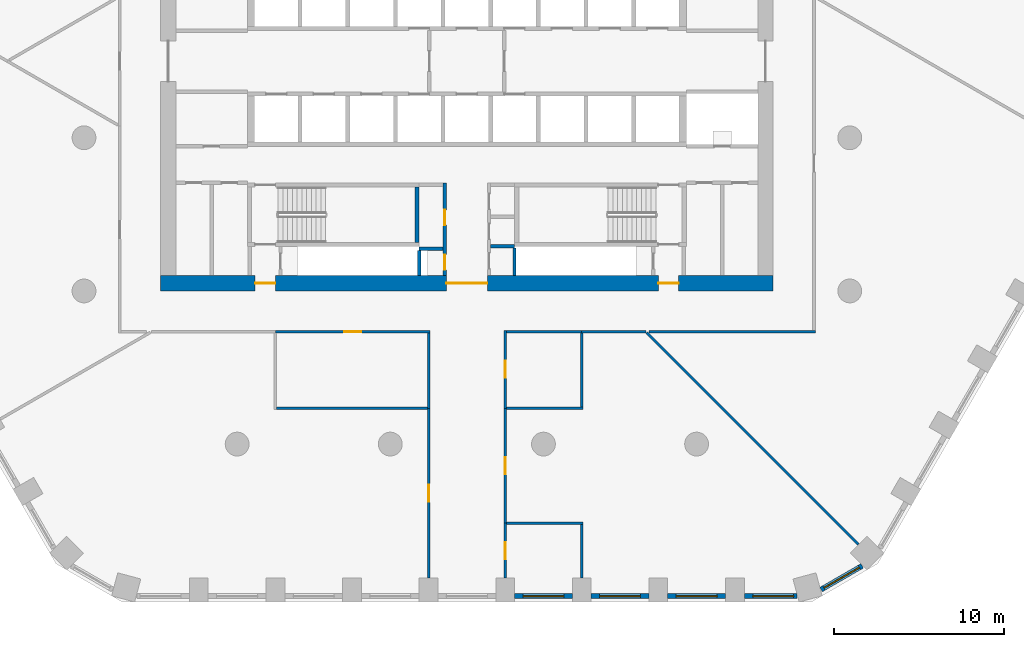
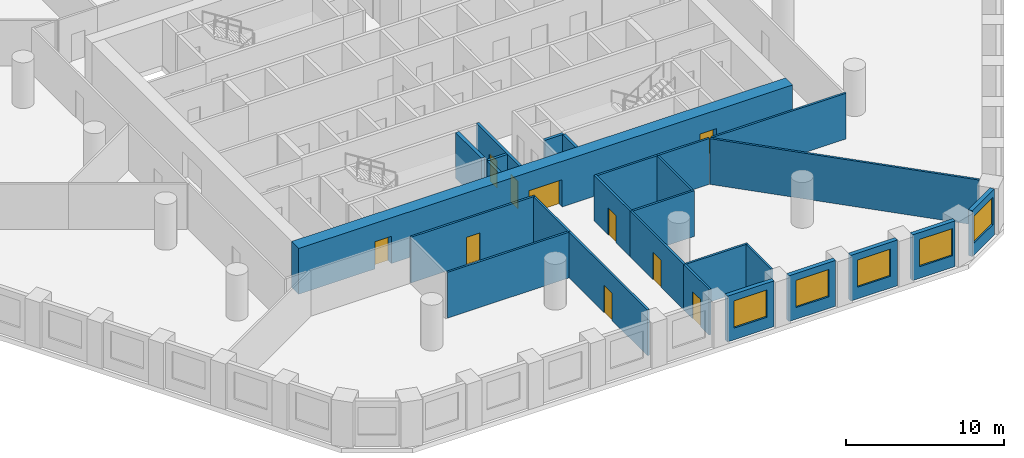
# One storey, part 3 of 10: 27 walls, 10 doors, 5 windows, 15 openings.
"""IFC4 building model written with IfcOpenShell, lengths in metres."""

from ifc_helpers import new_model, si_unit, direction, frame, frame_2d, origin, place, context, subcontext, project, spatial, rectangle, extrude, material, layer, layer_set, type_object, element, fill, save


model = new_model("IFC4")

# Units and contexts
model_context = context("Model", 3, precision=1e-05, world=origin(), true_north=direction((0.0, 1.0)))
body_context = subcontext(model_context, "Body", "Model", "MODEL_VIEW")
ifc_project = project(units=[si_unit("LENGTHUNIT", "METRE"), si_unit("AREAUNIT", "SQUARE_METRE"), si_unit("VOLUMEUNIT", "CUBIC_METRE"), si_unit("PLANEANGLEUNIT", "RADIAN"), si_unit("MASSUNIT", "GRAM", prefix="KILO")], contexts=[model_context])

# Site, building, storey
site_placement = place(None, origin())
site = spatial("IfcSite", under=ifc_project, at=site_placement, CompositionType="ELEMENT")
building_placement = place(site_placement, origin())
building = spatial("IfcBuilding", under=site, at=building_placement, Name="Dhurran Vertical Campus", CompositionType="ELEMENT")
storey_placement = place(building_placement, frame((0.0, 0.0, 49.5)))
storey = spatial("IfcBuildingStorey", under=building, at=storey_placement, Name="L11", CompositionType="ELEMENT", Elevation=49.5)

# Wall, opening, window
ifc_material_1 = material(Name="Precast concrete C50/60", Category="concrete")
ifc_layer_1 = layer(ifc_material_1, 0.300048828125)
ifc_layer_set_1 = layer_set([ifc_layer_1], Name="Precast concrete C50/60")
wall_type_1 = type_object("IfcWallType", Name="Precast spandrel wall 300", PredefinedType="SOLIDWALL", material=ifc_layer_set_1)
wall_1_placement = place(storey_placement, frame((2.800537109375, -31.4296875, 0.0), z_axis=(0.0, 0.0, 1.0), x_axis=(1.0, 0.0, 0.0)))
wall_1 = element("IfcWall", 1, at=wall_1_placement, inside=storey, type_object=wall_type_1, Name="EW1 L11.05", PredefinedType="SOLIDWALL", context=body_context, shape_type="SweptSolid", body=[
    extrude(rectangle(XDim=3.39892578125, YDim=0.300048828125, at=frame_2d((1.699462890625, 0.0))), origin(), (0.0, 0.0, 1.0), 3.52490234375),
])
opening_1_placement = place(wall_1_placement, frame((0.49951171875, 0.0, 0.89990234375)))
opening_1 = element("IfcOpeningElement", 2, at=opening_1_placement, cuts=wall_1, Name="Opening WT1", PredefinedType="OPENING", context=body_context, shape_type="SweptSolid", body=[
    extrude(rectangle(XDim=2.39990234375, YDim=2.10009765625, at=frame_2d((1.199951171875, 1.050048828125))), frame((0.0, 0.159912109375, 0.0), z_axis=(0.0, -1.0, 0.0), x_axis=(1.0, 0.0, 0.0)), (0.0, 0.0, 1.0), 0.320068359375),
])
ifc_material_2 = material(Name="Aluminium frame with solar-control glass", Category="aluminium")
window_type = type_object("IfcWindowType", Name="Punched window 2400 x 2100", PartitioningType="SINGLE_PANEL", PredefinedType="WINDOW", material=ifc_material_2)
window_1_placement = place(opening_1_placement, origin())
window_1 = element("IfcWindow", 3, at=window_1_placement, inside=storey, type_object=window_type, Name="WT1 L11.05", OverallHeight=2.10009765625, OverallWidth=2.39990234375, PartitioningType="SINGLE_PANEL", PredefinedType="WINDOW", context=body_context, shape_type="SweptSolid", body=[
    extrude(rectangle(XDim=2.39990234375, YDim=2.10009765625, at=frame_2d((1.199951171875, 1.050048828125))), frame((0.0, 0.030029296875, 0.0), z_axis=(0.0, -1.0, 0.0), x_axis=(1.0, 0.0, 0.0)), (0.0, 0.0, 1.0), 0.06005859375),
])
fill(opening_1, window_1)

wall_2_placement = place(storey_placement, frame((7.300537109375, -31.4296875, 0.0), z_axis=(0.0, 0.0, 1.0), x_axis=(1.0, 0.0, 0.0)))
wall_2 = element("IfcWall", 4, at=wall_2_placement, inside=storey, type_object=wall_type_1, Name="EW1 L11.06", PredefinedType="SOLIDWALL", context=body_context, shape_type="SweptSolid", body=[
    extrude(rectangle(XDim=3.39892578125, YDim=0.300048828125, at=frame_2d((1.699462890625, 0.0))), origin(), (0.0, 0.0, 1.0), 3.52490234375),
])
opening_2_placement = place(wall_2_placement, frame((0.49951171875, 0.0, 0.89990234375)))
opening_2 = element("IfcOpeningElement", 5, at=opening_2_placement, cuts=wall_2, Name="Opening WT1", PredefinedType="OPENING", context=body_context, shape_type="SweptSolid", body=[
    extrude(rectangle(XDim=2.39990234375, YDim=2.10009765625, at=frame_2d((1.199951171875, 1.050048828125))), frame((0.0, 0.159912109375, 0.0), z_axis=(0.0, -1.0, 0.0), x_axis=(1.0, 0.0, 0.0)), (0.0, 0.0, 1.0), 0.320068359375),
])
window_2_placement = place(opening_2_placement, origin())
window_2 = element("IfcWindow", 6, at=window_2_placement, inside=storey, type_object=window_type, Name="WT1 L11.06", OverallHeight=2.10009765625, OverallWidth=2.39990234375, PartitioningType="SINGLE_PANEL", PredefinedType="WINDOW", context=body_context, shape_type="SweptSolid", body=[
    extrude(rectangle(XDim=2.39990234375, YDim=2.10009765625, at=frame_2d((1.199951171875, 1.050048828125))), frame((0.0, 0.030029296875, 0.0), z_axis=(0.0, -1.0, 0.0), x_axis=(1.0, 0.0, 0.0)), (0.0, 0.0, 1.0), 0.06005859375),
])
fill(opening_2, window_2)

wall_3_placement = place(storey_placement, frame((11.800537109375, -31.4296875, 0.0), z_axis=(0.0, 0.0, 1.0), x_axis=(1.0, 0.0, 0.0)))
wall_3 = element("IfcWall", 7, at=wall_3_placement, inside=storey, type_object=wall_type_1, Name="EW1 L11.07", PredefinedType="SOLIDWALL", context=body_context, shape_type="SweptSolid", body=[
    extrude(rectangle(XDim=3.39892578125, YDim=0.300048828125, at=frame_2d((1.699462890625, 0.0))), origin(), (0.0, 0.0, 1.0), 3.52490234375),
])
opening_3_placement = place(wall_3_placement, frame((0.49951171875, 0.0, 0.89990234375)))
opening_3 = element("IfcOpeningElement", 8, at=opening_3_placement, cuts=wall_3, Name="Opening WT1", PredefinedType="OPENING", context=body_context, shape_type="SweptSolid", body=[
    extrude(rectangle(XDim=2.39990234375, YDim=2.10009765625, at=frame_2d((1.199951171875, 1.050048828125))), frame((0.0, 0.159912109375, 0.0), z_axis=(0.0, -1.0, 0.0), x_axis=(1.0, 0.0, 0.0)), (0.0, 0.0, 1.0), 0.320068359375),
])
window_3_placement = place(opening_3_placement, origin())
window_3 = element("IfcWindow", 9, at=window_3_placement, inside=storey, type_object=window_type, Name="WT1 L11.07", OverallHeight=2.10009765625, OverallWidth=2.39990234375, PartitioningType="SINGLE_PANEL", PredefinedType="WINDOW", context=body_context, shape_type="SweptSolid", body=[
    extrude(rectangle(XDim=2.39990234375, YDim=2.10009765625, at=frame_2d((1.199951171875, 1.050048828125))), frame((0.0, 0.030029296875, 0.0), z_axis=(0.0, -1.0, 0.0), x_axis=(1.0, 0.0, 0.0)), (0.0, 0.0, 1.0), 0.06005859375),
])
fill(opening_3, window_3)

wall_4_placement = place(storey_placement, frame((16.300537109375, -31.4296875, 0.0), z_axis=(0.0, 0.0, 1.0), x_axis=(1.0, 0.0, 0.0)))
wall_4 = element("IfcWall", 10, at=wall_4_placement, inside=storey, type_object=wall_type_1, Name="EW1 L11.08", PredefinedType="SOLIDWALL", context=body_context, shape_type="SweptSolid", body=[
    extrude(rectangle(XDim=3.090576171875, YDim=0.300048828125, at=frame_2d((1.54541015625, 0.0))), origin(), (0.0, 0.0, 1.0), 3.52490234375),
])
opening_4_placement = place(wall_4_placement, frame((0.49951171875, 0.0, 0.89990234375)))
opening_4 = element("IfcOpeningElement", 11, at=opening_4_placement, cuts=wall_4, Name="Opening WT1", PredefinedType="OPENING", context=body_context, shape_type="SweptSolid", body=[
    extrude(rectangle(XDim=2.39990234375, YDim=2.10009765625, at=frame_2d((1.199951171875, 1.050048828125))), frame((0.0, 0.159912109375, 0.0), z_axis=(0.0, -1.0, 0.0), x_axis=(1.0, 0.0, 0.0)), (0.0, 0.0, 1.0), 0.320068359375),
])
window_4_placement = place(opening_4_placement, origin())
window_4 = element("IfcWindow", 12, at=window_4_placement, inside=storey, type_object=window_type, Name="WT1 L11.08", OverallHeight=2.10009765625, OverallWidth=2.39990234375, PartitioningType="SINGLE_PANEL", PredefinedType="WINDOW", context=body_context, shape_type="SweptSolid", body=[
    extrude(rectangle(XDim=2.39990234375, YDim=2.10009765625, at=frame_2d((1.199951171875, 1.050048828125))), frame((0.0, 0.030029296875, 0.0), z_axis=(0.0, -1.0, 0.0), x_axis=(1.0, 0.0, 0.0)), (0.0, 0.0, 1.0), 0.06005859375),
])
fill(opening_4, window_4)

wall_5_placement = place(storey_placement, frame((20.81884765625, -31.047119140625, 0.0), z_axis=(0.0, 0.0, 1.0), x_axis=(0.866020456713, 0.500008568482, 0.0)))
wall_5 = element("IfcWall", 13, at=wall_5_placement, inside=storey, type_object=wall_type_1, Name="EW1 L11.09", PredefinedType="SOLIDWALL", context=body_context, shape_type="SweptSolid", body=[
    extrude(rectangle(XDim=2.7822265625, YDim=0.300048828125, at=frame_2d((1.39111328125, 0.0))), origin(), (0.0, 0.0, 1.0), 3.52490234375),
])
opening_5_placement = place(wall_5_placement, frame((0.191162109375, 0.0, 0.89990234375)))
opening_5 = element("IfcOpeningElement", 14, at=opening_5_placement, cuts=wall_5, Name="Opening WT1", PredefinedType="OPENING", context=body_context, shape_type="SweptSolid", body=[
    extrude(rectangle(XDim=2.39990234375, YDim=2.10009765625, at=frame_2d((1.199951171875, 1.050048828125))), frame((0.0, 0.159912109375, 0.0), z_axis=(0.0, -1.0, 0.0), x_axis=(1.0, 0.0, 0.0)), (0.0, 0.0, 1.0), 0.320068359375),
])
window_5_placement = place(opening_5_placement, origin())
window_5 = element("IfcWindow", 15, at=window_5_placement, inside=storey, type_object=window_type, Name="WT1 L11.09", OverallHeight=2.10009765625, OverallWidth=2.39990234375, PartitioningType="SINGLE_PANEL", PredefinedType="WINDOW", context=body_context, shape_type="SweptSolid", body=[
    extrude(rectangle(XDim=2.39990234375, YDim=2.10009765625, at=frame_2d((1.199951171875, 1.050048828125))), frame((0.0, 0.030029296875, 0.0), z_axis=(0.0, -1.0, 0.0), x_axis=(1.0, 0.0, 0.0)), (0.0, 0.0, 1.0), 0.06005859375),
])
fill(opening_5, window_5)

# Wall, openings, doors
ifc_material_3 = material(Name="Concrete C60/75", Category="concrete")
ifc_layer_2 = layer(ifc_material_3, 0.89990234375)
ifc_layer_set_2 = layer_set([ifc_layer_2], Name="Concrete C60/75")
wall_type_2 = type_object("IfcWallType", Name="co-CORE-WALL-C0-900", PredefinedType="SHEAR", material=ifc_layer_set_2)
wall_6_placement = place(storey_placement, frame((-18.0, -13.050048828125, 0.0), z_axis=(0.0, 0.0, 1.0), x_axis=(1.0, 0.0, 0.0)))
wall_6 = element("IfcWall", 16, at=wall_6_placement, inside=storey, type_object=wall_type_2, Name="Core wall S L11", PredefinedType="SHEAR", context=body_context, shape_type="SweptSolid", body=[
    extrude(rectangle(XDim=36.0, YDim=0.89990234375, at=frame_2d((18.0, 0.0))), origin(), (0.0, 0.0, 1.0), 3.52490234375),
])
opening_6_placement = place(wall_6_placement, frame((16.800048828125, 0.0, 0.0)))
opening_6 = element("IfcOpeningElement", 17, at=opening_6_placement, cuts=wall_6, Name="Opening CV2", PredefinedType="OPENING", context=body_context, shape_type="SweptSolid", body=[
    extrude(rectangle(XDim=2.39990234375, YDim=2.10009765625, at=frame_2d((1.199951171875, 1.050048828125))), frame((0.0, 0.4599609375, 0.0), z_axis=(0.0, -1.0, 0.0), x_axis=(1.0, 0.0, 0.0)), (0.0, 0.0, 1.0), 0.919921875),
])
opening_7_placement = place(wall_6_placement, frame((5.550048828125, 0.0, 0.0)))
opening_7 = element("IfcOpeningElement", 18, at=opening_7_placement, cuts=wall_6, Name="Opening XD3", PredefinedType="OPENING", context=body_context, shape_type="SweptSolid", body=[
    extrude(rectangle(XDim=1.199951171875, YDim=2.10009765625, at=frame_2d((0.60009765625, 1.050048828125))), frame((0.0, 0.4599609375, 0.0), z_axis=(0.0, -1.0, 0.0), x_axis=(1.0, 0.0, 0.0)), (0.0, 0.0, 1.0), 0.919921875),
])
opening_8_placement = place(wall_6_placement, frame((29.25, 0.0, 0.0)))
opening_8 = element("IfcOpeningElement", 19, at=opening_8_placement, cuts=wall_6, Name="Opening XD4", PredefinedType="OPENING", context=body_context, shape_type="SweptSolid", body=[
    extrude(rectangle(XDim=1.199951171875, YDim=2.10009765625, at=frame_2d((0.60009765625, 1.050048828125))), frame((0.0, 0.4599609375, 0.0), z_axis=(0.0, -1.0, 0.0), x_axis=(1.0, 0.0, 0.0)), (0.0, 0.0, 1.0), 0.919921875),
])
ifc_material_4 = material(Name="Fire-rated glazed door set")
door_type_1 = type_object("IfcDoorType", Name="co-D-LOBBY 2400x2100", OperationType="DOUBLE_DOOR_DOUBLE_SWING", PredefinedType="DOOR", material=ifc_material_4)
door_1_placement = place(opening_6_placement, origin())
door_1 = element("IfcDoor", 20, at=door_1_placement, inside=storey, type_object=door_type_1, Name="Core vestibule door S L11", OperationType="DOUBLE_DOOR_DOUBLE_SWING", OverallHeight=2.10009765625, OverallWidth=2.39990234375, PredefinedType="DOOR", context=body_context, shape_type="SweptSolid", body=[
    extrude(rectangle(XDim=2.39990234375, YDim=2.10009765625, at=frame_2d((1.199951171875, 1.050048828125))), frame((0.0, 0.02490234375, 0.0), z_axis=(0.0, -1.0, 0.0), x_axis=(1.0, 0.0, 0.0)), (0.0, 0.0, 1.0), 0.050048828125),
])
fill(opening_6, door_1)
ifc_material_5 = material(Name="Fire-rated steel door set", Category="steel")
door_type_2 = type_object("IfcDoorType", Name="co-D-STAIR-EXIT 1200x2100", OperationType="SINGLE_SWING_RIGHT", PredefinedType="DOOR", material=ifc_material_5)
door_2_placement = place(opening_7_placement, origin())
door_2 = element("IfcDoor", 21, at=door_2_placement, inside=storey, type_object=door_type_2, Name="Stair ST3 exit door L11", OperationType="SINGLE_SWING_RIGHT", OverallHeight=2.10009765625, OverallWidth=1.199951171875, PredefinedType="DOOR", context=body_context, shape_type="SweptSolid", body=[
    extrude(rectangle(XDim=1.199951171875, YDim=2.10009765625, at=frame_2d((0.60009765625, 1.050048828125))), frame((0.0, 0.02490234375, 0.0), z_axis=(0.0, -1.0, 0.0), x_axis=(1.0, 0.0, 0.0)), (0.0, 0.0, 1.0), 0.050048828125),
])
fill(opening_7, door_2)
door_3_placement = place(opening_8_placement, origin())
door_3 = element("IfcDoor", 22, at=door_3_placement, inside=storey, type_object=door_type_2, Name="Stair ST4 exit door L11", OperationType="SINGLE_SWING_RIGHT", OverallHeight=2.10009765625, OverallWidth=1.199951171875, PredefinedType="DOOR", context=body_context, shape_type="SweptSolid", body=[
    extrude(rectangle(XDim=1.199951171875, YDim=2.10009765625, at=frame_2d((0.60009765625, 1.050048828125))), frame((0.0, 0.02490234375, 0.0), z_axis=(0.0, -1.0, 0.0), x_axis=(1.0, 0.0, 0.0)), (0.0, 0.0, 1.0), 0.050048828125),
])
fill(opening_8, door_3)

# Walls
ifc_material_6 = material(Name="Fire-rated masonry blockwork", Category="masonry")
ifc_layer_3 = layer(ifc_material_6, 0.199951171875)
ifc_layer_set_3 = layer_set([ifc_layer_3], Name="Fire-rated masonry blockwork")
wall_type_3 = type_object("IfcWallType", Name="co-FIRE-PARTITION-200", PredefinedType="PARTITIONING", material=ifc_layer_set_3)
for number, where, z_axis, x_axis, name in (
    (23, (-2.800048828125, -11.02490234375, 0.0), (0.0, 0.0, 1.0), (1.0, 0.0, 0.0), "Core partition sl-SW-cut0 L11"),
    (24, (1.39990234375, -10.867431640625, 0.0), (0.0, 0.0, 1.0), (1.0, 0.0, 0.0), "Core partition sl-SE-cut1 L11"),
):
    element("IfcWall", number, at=place(storey_placement, frame(where, z_axis=z_axis, x_axis=x_axis)), inside=storey, type_object=wall_type_3, Name=name, PredefinedType="PARTITIONING", context=body_context, shape_type="SweptSolid", body=[
        extrude(rectangle(XDim=1.400146484375, YDim=0.199951171875, at=frame_2d((0.7001953125, 0.0))), origin(), (0.0, 0.0, 1.0), 3.52490234375),
    ])

# Wall, openings, doors
wall_7_placement = place(storey_placement, frame((-1.300048828125, -12.60009765625, 0.0), z_axis=(0.0, 0.0, 1.0), x_axis=(0.0, 1.0, 0.0)))
wall_7 = element("IfcWall", 25, at=wall_7_placement, inside=storey, type_object=wall_type_3, Name="Core partition vest-SW L11", PredefinedType="PARTITIONING", context=body_context, shape_type="SweptSolid", body=[
    extrude(rectangle(XDim=5.4501953125, YDim=0.199951171875, at=frame_2d((2.72509765625, 0.0))), origin(), (0.0, 0.0, 1.0), 3.52490234375),
])
opening_9_placement = place(wall_7_placement, frame((0.33740234375, 0.0, 0.0)))
opening_9 = element("IfcOpeningElement", 26, at=opening_9_placement, cuts=wall_7, Name="Opening T02-C1", PredefinedType="OPENING", context=body_context, shape_type="SweptSolid", body=[
    extrude(rectangle(XDim=0.89990234375, YDim=2.10009765625, at=frame_2d((0.449951171875, 1.050048828125))), frame((0.0, 0.10986328125, 0.0), z_axis=(0.0, -1.0, 0.0), x_axis=(1.0, 0.0, 0.0)), (0.0, 0.0, 1.0), 0.219970703125),
])
opening_10_placement = place(wall_7_placement, frame((2.96240234375, 0.0, 0.0)))
opening_10 = element("IfcOpeningElement", 27, at=opening_10_placement, cuts=wall_7, Name="Opening T02-C2", PredefinedType="OPENING", context=body_context, shape_type="SweptSolid", body=[
    extrude(rectangle(XDim=0.89990234375, YDim=2.10009765625, at=frame_2d((0.449951171875, 1.050048828125))), frame((0.0, 0.10986328125, 0.0), z_axis=(0.0, -1.0, 0.0), x_axis=(1.0, 0.0, 0.0)), (0.0, 0.0, 1.0), 0.219970703125),
])
ifc_material_7 = material(Name="Fire-rated timber door set", Category="wood")
door_type_3 = type_object("IfcDoorType", Name="co-D-ROOM 900x2100", OperationType="SINGLE_SWING_LEFT", PredefinedType="DOOR", material=ifc_material_7)
door_4_placement = place(opening_9_placement, origin())
door_4 = element("IfcDoor", 28, at=door_4_placement, inside=storey, type_object=door_type_3, Name="Electrical riser door L11", OperationType="SINGLE_SWING_LEFT", OverallHeight=2.10009765625, OverallWidth=0.89990234375, PredefinedType="DOOR", context=body_context, shape_type="SweptSolid", body=[
    extrude(rectangle(XDim=0.89990234375, YDim=2.10009765625, at=frame_2d((0.449951171875, 1.050048828125))), frame((0.0, 0.02490234375, 0.0), z_axis=(0.0, -1.0, 0.0), x_axis=(1.0, 0.0, 0.0)), (0.0, 0.0, 1.0), 0.050048828125),
])
fill(opening_9, door_4)
door_5_placement = place(opening_10_placement, origin())
door_5 = element("IfcDoor", 29, at=door_5_placement, inside=storey, type_object=door_type_3, Name="Plant room door L11", OperationType="SINGLE_SWING_LEFT", OverallHeight=2.10009765625, OverallWidth=0.89990234375, PredefinedType="DOOR", context=body_context, shape_type="SweptSolid", body=[
    extrude(rectangle(XDim=0.89990234375, YDim=2.10009765625, at=frame_2d((0.449951171875, 1.050048828125))), frame((0.0, 0.02490234375, 0.0), z_axis=(0.0, -1.0, 0.0), x_axis=(1.0, 0.0, 0.0)), (0.0, 0.0, 1.0), 0.050048828125),
])
fill(opening_10, door_5)

# Walls
wall_8_placement = place(storey_placement, frame((-2.800048828125, -12.59912109375, 0.0), z_axis=(0.0, 0.0, 1.0), x_axis=(0.0, 1.0, 0.0)))
element("IfcWall", 30, at=wall_8_placement, inside=storey, type_object=wall_type_3, Name="Riser enclosure wall L11", PredefinedType="PARTITIONING", context=body_context, shape_type="SweptSolid", body=[
    extrude(rectangle(XDim=1.47314453125, YDim=0.199951171875, at=frame_2d((0.736572265625, 0.0))), origin(), (0.0, 0.0, 1.0), 3.52490234375),
])
wall_9_placement = place(storey_placement, frame((2.800048828125, -10.968505859375, 0.0), z_axis=(0.0, 0.0, 1.0), x_axis=(0.0, -1.0, 0.0)))
element("IfcWall", 31, at=wall_9_placement, inside=storey, type_object=wall_type_3, Name="Riser enclosure wall L11", PredefinedType="PARTITIONING", context=body_context, shape_type="SweptSolid", body=[
    extrude(rectangle(XDim=1.630615234375, YDim=0.199951171875, at=frame_2d((0.8154296875, 0.0))), origin(), (0.0, 0.0, 1.0), 3.52490234375),
])
ifc_material_8 = material(Name="Concrete C40/50", Category="concrete")
ifc_layer_4 = layer(ifc_material_8, 0.25)
ifc_layer_set_4 = layer_set([ifc_layer_4], Name="Concrete C40/50")
wall_type_4 = type_object("IfcWallType", Name="co-STAIR-WALL-250", PredefinedType="SHEAR", material=ifc_layer_set_4)
wall_10_placement = place(storey_placement, frame((-2.925048828125, -10.64990234375, 0.0), z_axis=(0.0, 0.0, 1.0), x_axis=(0.0, 1.0, 0.0)))
element("IfcWall", 32, at=wall_10_placement, inside=storey, type_object=wall_type_4, Name="Stair ST3 enclosure wall L11", PredefinedType="SHEAR", context=body_context, shape_type="SweptSolid", body=[
    extrude(rectangle(XDim=3.25, YDim=0.25, at=frame_2d((1.625, 0.0))), origin(), (0.0, 0.0, 1.0), 3.52490234375),
])

# Wall, opening, door
ifc_material_9 = material(Name="Gypsum board corridor wall on steel studs", Category="steel")
ifc_layer_5 = layer(ifc_material_9, 0.14990234375)
ifc_layer_set_5 = layer_set([ifc_layer_5], Name="Gypsum board corridor wall on steel studs")
wall_type_5 = type_object("IfcWallType", Name="fl-CW-150 corridor wall", PredefinedType="PARTITIONING", material=ifc_layer_set_5)
wall_11_placement = place(storey_placement, frame((-11.25, -15.89990234375, 0.0), z_axis=(0.0, 0.0, 1.0), x_axis=(1.0, 0.0, 0.0)))
wall_11 = element("IfcWall", 33, at=wall_11_placement, inside=storey, type_object=wall_type_5, Name="Partition 11-17", PredefinedType="PARTITIONING", context=body_context, shape_type="SweptSolid", body=[
    extrude(rectangle(XDim=9.074951171875, YDim=0.14990234375, at=frame_2d((4.53759765625, 0.0))), origin(), (0.0, 0.0, 1.0), 3.52490234375),
])
opening_11_placement = place(wall_11_placement, frame((4.03759765625, 0.0, 0.0)))
opening_11 = element("IfcOpeningElement", 34, at=opening_11_placement, cuts=wall_11, Name="Opening T02.07", PredefinedType="OPENING", context=body_context, shape_type="SweptSolid", body=[
    extrude(rectangle(XDim=1.0, YDim=2.10009765625, at=frame_2d((0.5, 1.050048828125))), frame((0.0, 0.0849609375, 0.0), z_axis=(0.0, -1.0, 0.0), x_axis=(1.0, 0.0, 0.0)), (0.0, 0.0, 1.0), 0.169921875),
])
ifc_material_10 = material(Name="Solid-core timber door set, fire-rated", Category="wood")
door_type_4 = type_object("IfcDoorType", Name="fl-D-1000x2100", OperationType="SINGLE_SWING_LEFT", PredefinedType="DOOR", material=ifc_material_10)
door_6_placement = place(opening_11_placement, origin())
door_6 = element("IfcDoor", 35, at=door_6_placement, inside=storey, type_object=door_type_4, Name="Door 11.07", OperationType="SINGLE_SWING_LEFT", OverallHeight=2.10009765625, OverallWidth=1.0, PredefinedType="DOOR", context=body_context, shape_type="SweptSolid", body=[
    extrude(rectangle(XDim=1.0, YDim=2.10009765625, at=frame_2d((0.5, 1.050048828125))), frame((0.0, 0.02490234375, 0.0), z_axis=(0.0, -1.0, 0.0), x_axis=(1.0, 0.0, 0.0)), (0.0, 0.0, 1.0), 0.050048828125),
])
fill(opening_11, door_6)

wall_12_placement = place(storey_placement, frame((-2.25, -30.35986328125, 0.0), z_axis=(0.0, 0.0, 1.0), x_axis=(0.0, 1.0, 0.0)))
wall_12 = element("IfcWall", 36, at=wall_12_placement, inside=storey, type_object=wall_type_5, Name="Partition 11-18", PredefinedType="PARTITIONING", context=body_context, shape_type="SweptSolid", body=[
    extrude(rectangle(XDim=9.9599609375, YDim=0.14990234375, at=frame_2d((4.97998046875, 0.0))), origin(), (0.0, 0.0, 1.0), 3.52490234375),
])
opening_12_placement = place(wall_12_placement, frame((4.47998046875, 0.0, 0.0)))
opening_12 = element("IfcOpeningElement", 37, at=opening_12_placement, cuts=wall_12, Name="Opening T02.05", PredefinedType="OPENING", context=body_context, shape_type="SweptSolid", body=[
    extrude(rectangle(XDim=1.0, YDim=2.10009765625, at=frame_2d((0.5, 1.050048828125))), frame((0.0, 0.0849609375, 0.0), z_axis=(0.0, -1.0, 0.0), x_axis=(1.0, 0.0, 0.0)), (0.0, 0.0, 1.0), 0.169921875),
])
door_7_placement = place(opening_12_placement, origin())
door_7 = element("IfcDoor", 38, at=door_7_placement, inside=storey, type_object=door_type_4, Name="Door 11.05", OperationType="SINGLE_SWING_RIGHT", OverallHeight=2.10009765625, OverallWidth=1.0, PredefinedType="DOOR", context=body_context, shape_type="SweptSolid", body=[
    extrude(rectangle(XDim=1.0, YDim=2.10009765625, at=frame_2d((0.5, 1.050048828125))), frame((0.0, 0.02490234375, 0.0), z_axis=(0.0, -1.0, 0.0), x_axis=(1.0, 0.0, 0.0)), (0.0, 0.0, 1.0), 0.050048828125),
])
fill(opening_12, door_7)

# Wall
wall_13_placement = place(storey_placement, frame((-2.25, -20.39990234375, 0.0), z_axis=(0.0, 0.0, 1.0), x_axis=(0.0, 1.0, 0.0)))
element("IfcWall", 39, at=wall_13_placement, inside=storey, type_object=wall_type_5, Name="Partition 11-19", PredefinedType="PARTITIONING", context=body_context, shape_type="SweptSolid", body=[
    extrude(rectangle(XDim=4.4248046875, YDim=0.14990234375, at=frame_2d((2.21240234375, 0.0))), origin(), (0.0, 0.0, 1.0), 3.52490234375),
])

# Wall, opening, door
wall_14_placement = place(storey_placement, frame((2.25, -27.14990234375, 0.0), z_axis=(0.0, 0.0, 1.0), x_axis=(0.0, -1.0, 0.0)))
wall_14 = element("IfcWall", 40, at=wall_14_placement, inside=storey, type_object=wall_type_5, Name="Partition 11-21", PredefinedType="PARTITIONING", context=body_context, shape_type="SweptSolid", body=[
    extrude(rectangle(XDim=3.2099609375, YDim=0.14990234375, at=frame_2d((1.60498046875, 0.0))), origin(), (0.0, 0.0, 1.0), 3.52490234375),
])
opening_13_placement = place(wall_14_placement, frame((1.10498046875, 0.0, 0.0)))
opening_13 = element("IfcOpeningElement", 41, at=opening_13_placement, cuts=wall_14, Name="Opening T02.08", PredefinedType="OPENING", context=body_context, shape_type="SweptSolid", body=[
    extrude(rectangle(XDim=1.0, YDim=2.10009765625, at=frame_2d((0.5, 1.050048828125))), frame((0.0, 0.0849609375, 0.0), z_axis=(0.0, -1.0, 0.0), x_axis=(1.0, 0.0, 0.0)), (0.0, 0.0, 1.0), 0.169921875),
])
door_8_placement = place(opening_13_placement, origin())
door_8 = element("IfcDoor", 42, at=door_8_placement, inside=storey, type_object=door_type_4, Name="Door 11.08", OperationType="SINGLE_SWING_RIGHT", OverallHeight=2.10009765625, OverallWidth=1.0, PredefinedType="DOOR", context=body_context, shape_type="SweptSolid", body=[
    extrude(rectangle(XDim=1.0, YDim=2.10009765625, at=frame_2d((0.5, 1.050048828125))), frame((0.0, 0.02490234375, 0.0), z_axis=(0.0, -1.0, 0.0), x_axis=(1.0, 0.0, 0.0)), (0.0, 0.0, 1.0), 0.050048828125),
])
fill(opening_13, door_8)

wall_15_placement = place(storey_placement, frame((2.25, -20.39990234375, 0.0), z_axis=(0.0, 0.0, 1.0), x_axis=(0.0, -1.0, 0.0)))
wall_15 = element("IfcWall", 43, at=wall_15_placement, inside=storey, type_object=wall_type_5, Name="Partition 11-22", PredefinedType="PARTITIONING", context=body_context, shape_type="SweptSolid", body=[
    extrude(rectangle(XDim=6.75, YDim=0.14990234375, at=frame_2d((3.375, 0.0))), origin(), (0.0, 0.0, 1.0), 3.52490234375),
])
opening_14_placement = place(wall_15_placement, frame((2.875, 0.0, 0.0)))
opening_14 = element("IfcOpeningElement", 44, at=opening_14_placement, cuts=wall_15, Name="Opening T02.12", PredefinedType="OPENING", context=body_context, shape_type="SweptSolid", body=[
    extrude(rectangle(XDim=1.0, YDim=2.10009765625, at=frame_2d((0.5, 1.050048828125))), frame((0.0, 0.0849609375, 0.0), z_axis=(0.0, -1.0, 0.0), x_axis=(1.0, 0.0, 0.0)), (0.0, 0.0, 1.0), 0.169921875),
])
door_9_placement = place(opening_14_placement, origin())
door_9 = element("IfcDoor", 45, at=door_9_placement, inside=storey, type_object=door_type_4, Name="Door 11.12", OperationType="SINGLE_SWING_LEFT", OverallHeight=2.10009765625, OverallWidth=1.0, PredefinedType="DOOR", context=body_context, shape_type="SweptSolid", body=[
    extrude(rectangle(XDim=1.0, YDim=2.10009765625, at=frame_2d((0.5, 1.050048828125))), frame((0.0, 0.02490234375, 0.0), z_axis=(0.0, -1.0, 0.0), x_axis=(1.0, 0.0, 0.0)), (0.0, 0.0, 1.0), 0.050048828125),
])
fill(opening_14, door_9)

wall_16_placement = place(storey_placement, frame((2.25, -15.824951171875, 0.0), z_axis=(0.0, 0.0, 1.0), x_axis=(0.0, -1.0, 0.0)))
wall_16 = element("IfcWall", 46, at=wall_16_placement, inside=storey, type_object=wall_type_5, Name="Partition 11-24", PredefinedType="PARTITIONING", context=body_context, shape_type="SweptSolid", body=[
    extrude(rectangle(XDim=4.574951171875, YDim=0.14990234375, at=frame_2d((2.28759765625, 0.0))), origin(), (0.0, 0.0, 1.0), 3.52490234375),
])
opening_15_placement = place(wall_16_placement, frame((1.78759765625, 0.0, 0.0)))
opening_15 = element("IfcOpeningElement", 47, at=opening_15_placement, cuts=wall_16, Name="Opening T02.09", PredefinedType="OPENING", context=body_context, shape_type="SweptSolid", body=[
    extrude(rectangle(XDim=1.0, YDim=2.10009765625, at=frame_2d((0.5, 1.050048828125))), frame((0.0, 0.0849609375, 0.0), z_axis=(0.0, -1.0, 0.0), x_axis=(1.0, 0.0, 0.0)), (0.0, 0.0, 1.0), 0.169921875),
])
door_10_placement = place(opening_15_placement, origin())
door_10 = element("IfcDoor", 48, at=door_10_placement, inside=storey, type_object=door_type_4, Name="Door 11.09", OperationType="SINGLE_SWING_LEFT", OverallHeight=2.10009765625, OverallWidth=1.0, PredefinedType="DOOR", context=body_context, shape_type="SweptSolid", body=[
    extrude(rectangle(XDim=1.0, YDim=2.10009765625, at=frame_2d((0.5, 1.050048828125))), frame((0.0, 0.02490234375, 0.0), z_axis=(0.0, -1.0, 0.0), x_axis=(1.0, 0.0, 0.0)), (0.0, 0.0, 1.0), 0.050048828125),
])
fill(opening_15, door_10)

# Walls
wall_17_placement = place(storey_placement, frame((2.324951171875, -15.89990234375, 0.0), z_axis=(0.0, 0.0, 1.0), x_axis=(1.0, 0.0, 0.0)))
element("IfcWall", 49, at=wall_17_placement, inside=storey, type_object=wall_type_5, Name="Partition 11-26", PredefinedType="PARTITIONING", context=body_context, shape_type="SweptSolid", body=[
    extrude(rectangle(XDim=4.425048828125, YDim=0.14990234375, at=frame_2d((2.21240234375, 0.0))), origin(), (0.0, 0.0, 1.0), 3.52490234375),
])
wall_18_placement = place(storey_placement, frame((6.75, -15.89990234375, 0.0), z_axis=(0.0, 0.0, 1.0), x_axis=(1.0, 0.0, 0.0)))
element("IfcWall", 50, at=wall_18_placement, inside=storey, type_object=wall_type_5, Name="Partition 11-33", PredefinedType="PARTITIONING", context=body_context, shape_type="SweptSolid", body=[
    extrude(rectangle(XDim=3.76708984375, YDim=0.14990234375, at=frame_2d((1.883544921875, 0.0))), origin(), (0.0, 0.0, 1.0), 3.52490234375),
])
wall_19_placement = place(storey_placement, frame((10.69189453125, -15.89990234375, 0.0), z_axis=(0.0, 0.0, 1.0), x_axis=(1.0, 0.0, 0.0)))
element("IfcWall", 51, at=wall_19_placement, inside=storey, type_object=wall_type_5, Name="Partition 11-34", PredefinedType="PARTITIONING", context=body_context, shape_type="SweptSolid", body=[
    extrude(rectangle(XDim=9.783203125, YDim=0.14990234375, at=frame_2d((4.8916015625, 0.0))), origin(), (0.0, 0.0, 1.0), 3.52490234375),
])
ifc_material_11 = material(Name="Gypsum board partition on steel studs", Category="steel")
ifc_layer_6 = layer(ifc_material_11, 0.14990234375)
ifc_layer_set_6 = layer_set([ifc_layer_6], Name="Gypsum board partition on steel studs")
wall_type_6 = type_object("IfcWallType", Name="fl-PW-150 fixed partition", PredefinedType="PARTITIONING", material=ifc_layer_set_6)
wall_20_placement = place(storey_placement, frame((-11.175048828125, -20.39990234375, 0.0), z_axis=(0.0, 0.0, 1.0), x_axis=(1.0, 0.0, 0.0)))
element("IfcWall", 52, at=wall_20_placement, inside=storey, type_object=wall_type_6, Name="Partition 11-16", PredefinedType="PARTITIONING", context=body_context, shape_type="SweptSolid", body=[
    extrude(rectangle(XDim=8.85009765625, YDim=0.14990234375, at=frame_2d((4.425048828125, 0.0))), origin(), (0.0, 0.0, 1.0), 3.52490234375),
])
for number, where, z_axis, x_axis, name in (
    (53, (2.324951171875, -27.14990234375, 0.0), (0.0, 0.0, 1.0), (1.0, 0.0, 0.0), "Partition 11-23"),
    (54, (6.824951171875, -20.39990234375, 0.0), (0.0, 0.0, 1.0), (-1.0, 0.0, 0.0), "Partition 11-25"),
):
    element("IfcWall", number, at=place(storey_placement, frame(where, z_axis=z_axis, x_axis=x_axis)), inside=storey, type_object=wall_type_6, Name=name, PredefinedType="PARTITIONING", context=body_context, shape_type="SweptSolid", body=[
        extrude(rectangle(XDim=4.5, YDim=0.14990234375, at=frame_2d((2.25, 0.0))), origin(), (0.0, 0.0, 1.0), 3.52490234375),
    ])
wall_21_placement = place(storey_placement, frame((6.75, -27.22509765625, 0.0), z_axis=(0.0, 0.0, 1.0), x_axis=(0.0, -1.0, 0.0)))
element("IfcWall", 55, at=wall_21_placement, inside=storey, type_object=wall_type_6, Name="Partition 11-31", PredefinedType="PARTITIONING", context=body_context, shape_type="SweptSolid", body=[
    extrude(rectangle(XDim=3.134765625, YDim=0.14990234375, at=frame_2d((1.5673828125, 0.0))), origin(), (0.0, 0.0, 1.0), 3.52490234375),
])
wall_22_placement = place(storey_placement, frame((6.75, -15.97509765625, 0.0), z_axis=(0.0, 0.0, 1.0), x_axis=(0.0, -1.0, 0.0)))
element("IfcWall", 56, at=wall_22_placement, inside=storey, type_object=wall_type_6, Name="Partition 11-32", PredefinedType="PARTITIONING", context=body_context, shape_type="SweptSolid", body=[
    extrude(rectangle(XDim=4.349853515625, YDim=0.14990234375, at=frame_2d((2.1748046875, 0.0))), origin(), (0.0, 0.0, 1.0), 3.52490234375),
])
wall_23_placement = place(storey_placement, frame((10.570068359375, -15.952880859375, 0.0), z_axis=(0.0, 0.0, 1.0), x_axis=(0.707099842679, -0.707113719626, 0.0)))
element("IfcWall", 57, at=wall_23_placement, inside=storey, type_object=wall_type_6, Name="Partition 11-35", PredefinedType="PARTITIONING", context=body_context, shape_type="SweptSolid", body=[
    extrude(rectangle(XDim=17.59326171875, YDim=0.14990234375, at=frame_2d((8.796630859375, 0.0))), origin(), (0.0, 0.0, 1.0), 3.52490234375),
])

save(model, "model.ifc")
